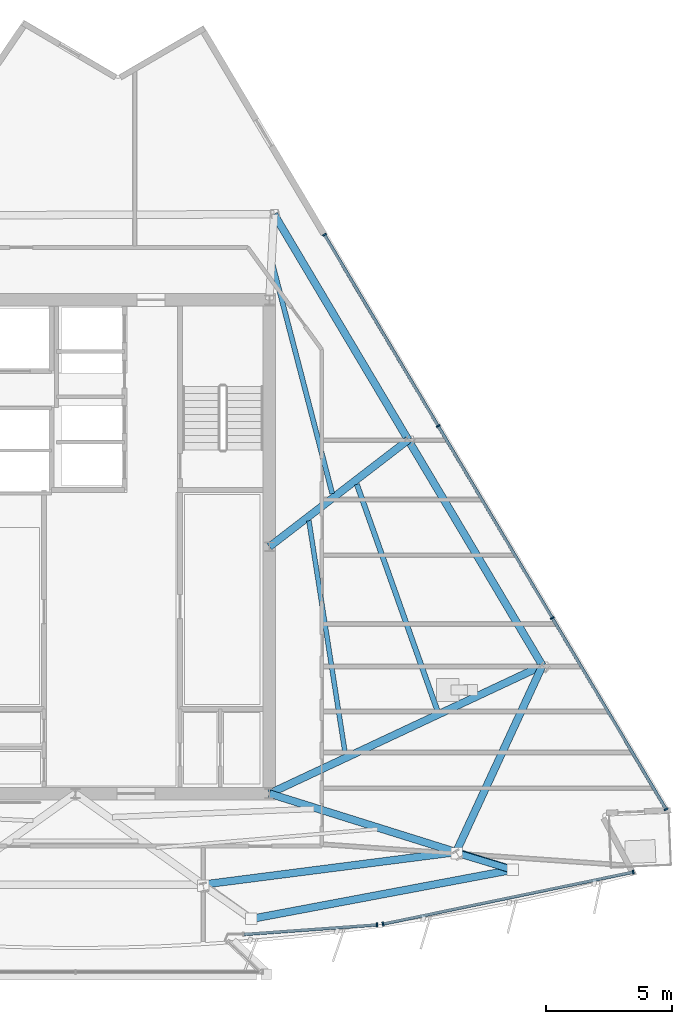
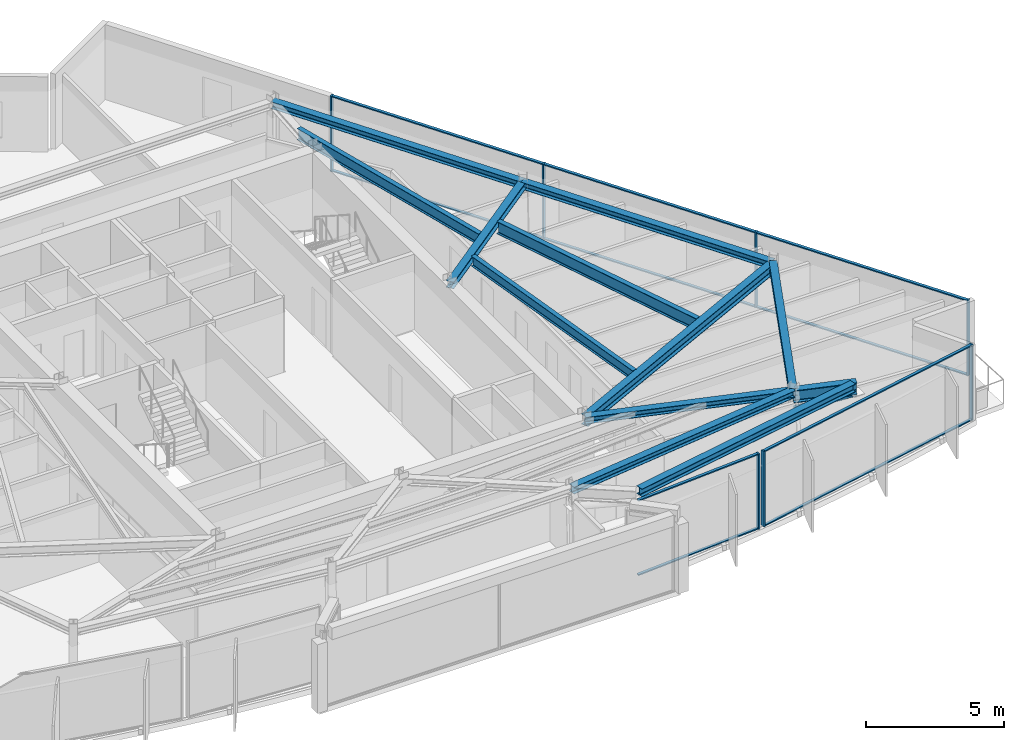
# One storey, part 5 of 13: 18 members, 12 beams, 3 elements without a shape of their own.
"""IFC4 building model written with IfcOpenShell, lengths in metres."""

from ifc_helpers import new_model, si_unit, direction, frame, origin, origin_2d, place, context, subcontext, project, spatial, rectangle, hollow_circle, i_section, extrude, material, material_profile, profile_set, type_object, element, aggregate, save


model = new_model("IFC4")

# Units and contexts
model_context = context("Model", 3, precision=1e-05, world=origin(), true_north=direction((0.0, 1.0)))
body_context = subcontext(model_context, "Body", "Model", "MODEL_VIEW")
ifc_project = project(units=[si_unit("LENGTHUNIT", "METRE"), si_unit("AREAUNIT", "SQUARE_METRE"), si_unit("VOLUMEUNIT", "CUBIC_METRE"), si_unit("PLANEANGLEUNIT", "RADIAN"), si_unit("MASSUNIT", "GRAM", prefix="KILO")], contexts=[model_context])

# Site, building, storey
site_placement = place(None, origin())
site = spatial("IfcSite", under=ifc_project, at=site_placement, CompositionType="ELEMENT")
building_placement = place(site_placement, origin())
building = spatial("IfcBuilding", under=site, at=building_placement, Name="Savorim Split Tower", CompositionType="ELEMENT")
storey_placement = place(building_placement, frame((0.0, 0.0, 286.800048828125)))
storey = spatial("IfcBuildingStorey", under=building, at=storey_placement, Name="L76", CompositionType="ELEMENT", Elevation=286.800048828125)

# Beams
ifc_material_1 = material(Name="Steel S355", Category="steel")
ifc_material_profile_1 = material_profile(ifc_material_1, i_section(OverallWidth=0.18994140625, OverallDepth=0.449951171875, WebThickness=0.009521484375, FlangeThickness=0.0146484375, FilletRadius=0.02099609375, at=origin_2d()), Name="IPE 450")
ifc_profile_set_1 = profile_set([ifc_material_profile_1], Name="Steel S355")
beam_type_1 = type_object("IfcBeamType", Name="BM-JST-IPE450", PredefinedType="JOIST", material=ifc_profile_set_1)
beam_1_placement = place(storey_placement, frame((10.710205078125, -7.81884765625, 3.125), z_axis=(-0.154073720569, 0.988059354811, 0.0), x_axis=(-0.988059354811, -0.154073720569, 0.0)))
element("IfcBeam", 1, at=beam_1_placement, inside=storey, type_object=beam_type_1, Name="L76 Secondary Floor Joist JS-08", PredefinedType="JOIST", context=body_context, shape_type="SweptSolid", body=[
    extrude(i_section(OverallWidth=0.18994140625, OverallDepth=0.449951171875, WebThickness=0.009521484375, FlangeThickness=0.0146484375, FilletRadius=0.02099609375, at=origin_2d()), origin(), (0.0, 0.0, 1.0), 9.360107421875),
])
ifc_material_profile_2 = material_profile(ifc_material_1, i_section(OverallWidth=0.199951171875, OverallDepth=0.5, WebThickness=0.01025390625, FlangeThickness=0.01611328125, FilletRadius=0.02099609375, at=origin_2d()), Name="IPE 500")
ifc_profile_set_2 = profile_set([ifc_material_profile_2], Name="Steel S355")
beam_type_2 = type_object("IfcBeamType", Name="BM-JST-IPE500", PredefinedType="JOIST", material=ifc_profile_set_2)
beam_2_placement = place(storey_placement, frame((10.1953125, 2.505859375, 3.099853515625), z_axis=(-0.251928476427, 0.967745856496, 0.0), x_axis=(-0.967745856496, -0.251928476427, 0.0)))
element("IfcBeam", 2, at=beam_2_placement, inside=storey, type_object=beam_type_2, Name="L76 Secondary Floor Joist JS-07", PredefinedType="JOIST", context=body_context, shape_type="SweptSolid", body=[
    extrude(i_section(OverallWidth=0.199951171875, OverallDepth=0.5, WebThickness=0.01025390625, FlangeThickness=0.01611328125, FilletRadius=0.02099609375, at=origin_2d()), origin(), (0.0, 0.0, 1.0), 9.406982421875),
])
ifc_material_profile_3 = material_profile(ifc_material_1, i_section(OverallWidth=0.2099609375, OverallDepth=0.550048828125, WebThickness=0.010986328125, FlangeThickness=0.01708984375, FilletRadius=0.02392578125, at=origin_2d()), Name="IPE 550")
ifc_profile_set_3 = profile_set([ifc_material_profile_3], Name="Steel S355")
beam_type_3 = type_object("IfcBeamType", Name="BM-JST-IPE550", PredefinedType="JOIST", material=ifc_profile_set_3)
beam_3_placement = place(storey_placement, frame((14.36669921875, -6.09814453125, 3.074951171875), z_axis=(-0.335333145014, 0.942099613552, 0.0), x_axis=(-0.942099613552, -0.335333145014, 0.0)))
element("IfcBeam", 3, at=beam_3_placement, inside=storey, type_object=beam_type_3, Name="L76 Secondary Floor Joist JS-06", PredefinedType="JOIST", context=body_context, shape_type="SweptSolid", body=[
    extrude(i_section(OverallWidth=0.2099609375, OverallDepth=0.550048828125, WebThickness=0.010986328125, FlangeThickness=0.01708984375, FilletRadius=0.02392578125, at=origin_2d()), origin(), (0.0, 0.0, 1.0), 9.52880859375),
])
ifc_material_profile_4 = material_profile(ifc_material_1, i_section(OverallWidth=0.300048828125, OverallDepth=0.300048828125, WebThickness=0.010986328125, FlangeThickness=0.01904296875, FilletRadius=0.027099609375, at=origin_2d()), Name="HEB 300")
ifc_profile_set_4 = profile_set([ifc_material_profile_4], Name="Steel S355")
beam_type_4 = type_object("IfcBeamType", Name="BM-PRI-HEB300", PredefinedType="BEAM", material=ifc_profile_set_4)
beam_4_placement = place(storey_placement, frame((15.111083984375, -11.7216796875, 3.199951171875), z_axis=(-0.954267179997, 0.298955095591, 0.0), x_axis=(-0.298955095591, -0.954267179997, 0.0)))
element("IfcBeam", 4, at=beam_4_placement, inside=storey, type_object=beam_type_4, Name="L76 Primary Floor Girder RG-04", PredefinedType="BEAM", context=body_context, shape_type="SweptSolid", body=[
    extrude(i_section(OverallWidth=0.300048828125, OverallDepth=0.300048828125, WebThickness=0.010986328125, FlangeThickness=0.01904296875, FilletRadius=0.027099609375, at=origin_2d()), origin(), (0.0, 0.0, 1.0), 7.766357421875),
])
beam_5_placement = place(storey_placement, frame((13.212158203125, 4.641357421875, 3.199951171875), z_axis=(-0.792533941763, -0.609827804511, 0.0), x_axis=(0.609827804511, -0.792533941763, 0.0)))
element("IfcBeam", 5, at=beam_5_placement, inside=storey, type_object=beam_type_4, Name="L76 Primary Floor Girder RG-06", PredefinedType="BEAM", context=body_context, shape_type="SweptSolid", body=[
    extrude(i_section(OverallWidth=0.300048828125, OverallDepth=0.300048828125, WebThickness=0.010986328125, FlangeThickness=0.01904296875, FilletRadius=0.027099609375, at=origin_2d()), origin(), (0.0, 0.0, 1.0), 6.955078125),
])
ifc_material_profile_5 = material_profile(ifc_material_1, i_section(OverallWidth=0.300048828125, OverallDepth=0.449951171875, WebThickness=0.013916015625, FlangeThickness=0.02587890625, FilletRadius=0.027099609375, at=origin_2d()), Name="HEB 450")
ifc_profile_set_5 = profile_set([ifc_material_profile_5], Name="Steel S355")
beam_type_5 = type_object("IfcBeamType", Name="BM-PRI-HEB450", PredefinedType="BEAM", material=ifc_profile_set_5)
beam_6_placement = place(storey_placement, frame((18.539306640625, -4.317626953125, 3.125), z_axis=(-0.905416316347, -0.424524786193, 0.0), x_axis=(0.424524786193, -0.905416316347, 0.0)))
element("IfcBeam", 6, at=beam_6_placement, inside=storey, type_object=beam_type_5, Name="L76 Primary Floor Girder RG-05", PredefinedType="BEAM", context=body_context, shape_type="SweptSolid", body=[
    extrude(i_section(OverallWidth=0.300048828125, OverallDepth=0.449951171875, WebThickness=0.013916015625, FlangeThickness=0.02587890625, FilletRadius=0.027099609375, at=origin_2d()), origin(), (0.0, 0.0, 1.0), 11.9716796875),
])
ifc_material_profile_6 = material_profile(ifc_material_1, i_section(OverallWidth=0.300048828125, OverallDepth=0.550048828125, WebThickness=0.014892578125, FlangeThickness=0.029052734375, FilletRadius=0.027099609375, at=origin_2d()), Name="HEB 550")
ifc_profile_set_6 = profile_set([ifc_material_profile_6], Name="Steel S355")
beam_type_6 = type_object("IfcBeamType", Name="BM-PRI-HEB550", PredefinedType="BEAM", material=ifc_profile_set_6)
beam_7_placement = place(storey_placement, frame((15.111083984375, -11.7216796875, 3.074951171875), z_axis=(0.954261607251, -0.298972883264, 0.0), x_axis=(0.298972883264, 0.954261607251, 0.0)))
element("IfcBeam", 7, at=beam_7_placement, inside=storey, type_object=beam_type_6, Name="L76 Cantilevered Lounge Rib 2", PredefinedType="BEAM", context=body_context, shape_type="SweptSolid", body=[
    extrude(i_section(OverallWidth=0.300048828125, OverallDepth=0.550048828125, WebThickness=0.014892578125, FlangeThickness=0.029052734375, FilletRadius=0.027099609375, at=origin_2d()), origin(), (0.0, 0.0, 1.0), 2.35009765625),
])
ifc_material_profile_7 = material_profile(ifc_material_1, i_section(OverallWidth=0.300048828125, OverallDepth=0.31005859375, WebThickness=0.009033203125, FlangeThickness=0.015380859375, FilletRadius=0.027099609375, at=origin_2d()), Name="HEA 320")
ifc_profile_set_7 = profile_set([ifc_material_profile_7], Name="Steel S355")
beam_type_7 = type_object("IfcBeamType", Name="BM-SPN-HEA320", PredefinedType="SPANDREL", material=ifc_profile_set_7)
beam_8_placement = place(storey_placement, frame((5.064697265625, -13.01171875, 3.195068359375), z_axis=(0.991856231817, 0.127362535332, 0.0), x_axis=(-0.127362535332, 0.991856231817, 0.0)))
element("IfcBeam", 8, at=beam_8_placement, inside=storey, type_object=beam_type_7, Name="L76 Perimeter Spandrel Beam 3", PredefinedType="SPANDREL", context=body_context, shape_type="SweptSolid", body=[
    extrude(i_section(OverallWidth=0.300048828125, OverallDepth=0.31005859375, WebThickness=0.009033203125, FlangeThickness=0.015380859375, FilletRadius=0.027099609375, at=origin_2d()), origin(), (0.0, 0.0, 1.0), 10.12890625),
])
beam_9_placement = place(storey_placement, frame((15.111083984375, -11.7216796875, 3.195068359375), z_axis=(0.420166004461, 0.907447259457, 0.0), x_axis=(-0.907447259457, 0.420166004461, 0.0)))
element("IfcBeam", 9, at=beam_9_placement, inside=storey, type_object=beam_type_7, Name="L76 Perimeter Spandrel Beam 4", PredefinedType="SPANDREL", context=body_context, shape_type="SweptSolid", body=[
    extrude(i_section(OverallWidth=0.300048828125, OverallDepth=0.31005859375, WebThickness=0.009033203125, FlangeThickness=0.015380859375, FilletRadius=0.027099609375, at=origin_2d()), origin(), (0.0, 0.0, 1.0), 8.1591796875),
])
beam_10_placement = place(storey_placement, frame((18.539306640625, -4.317626953125, 3.195068359375), z_axis=(-0.511088488427, 0.859528101343, 0.0), x_axis=(-0.859528101343, -0.511088488427, 0.0)))
element("IfcBeam", 10, at=beam_10_placement, inside=storey, type_object=beam_type_7, Name="L76 Perimeter Spandrel Beam 5", PredefinedType="SPANDREL", context=body_context, shape_type="SweptSolid", body=[
    extrude(i_section(OverallWidth=0.300048828125, OverallDepth=0.31005859375, WebThickness=0.009033203125, FlangeThickness=0.015380859375, FilletRadius=0.027099609375, at=origin_2d()), origin(), (0.0, 0.0, 1.0), 10.423095703125),
])
beam_11_placement = place(storey_placement, frame((13.212158203125, 4.641357421875, 3.195068359375), z_axis=(-0.511098778174, 0.859521982819, 0.0), x_axis=(-0.859521982819, -0.511098778174, 0.0)))
element("IfcBeam", 11, at=beam_11_placement, inside=storey, type_object=beam_type_7, Name="L76 Perimeter Spandrel Beam 6", PredefinedType="SPANDREL", context=body_context, shape_type="SweptSolid", body=[
    extrude(i_section(OverallWidth=0.300048828125, OverallDepth=0.31005859375, WebThickness=0.009033203125, FlangeThickness=0.015380859375, FilletRadius=0.027099609375, at=origin_2d()), origin(), (0.0, 0.0, 1.0), 10.4228515625),
])
ifc_material_profile_8 = material_profile(ifc_material_1, i_section(OverallWidth=0.300048828125, OverallDepth=0.35009765625, WebThickness=0.010009765625, FlangeThickness=0.017578125, FilletRadius=0.027099609375, at=origin_2d()), Name="HEA 360")
ifc_profile_set_8 = profile_set([ifc_material_profile_8], Name="Steel S355")
beam_type_8 = type_object("IfcBeamType", Name="BM-SPN-HEA360", PredefinedType="SPANDREL", material=ifc_profile_set_8)
beam_12_placement = place(storey_placement, frame((7.135009765625, -14.346435546875, 3.175048828125), z_axis=(0.982765116909, 0.184858662192, 0.0), x_axis=(-0.184858662192, 0.982765116909, 0.0)))
element("IfcBeam", 12, at=beam_12_placement, inside=storey, type_object=beam_type_8, Name="L76 Cantilevered Lounge Front Edge Beam", PredefinedType="SPANDREL", context=body_context, shape_type="SweptSolid", body=[
    extrude(i_section(OverallWidth=0.300048828125, OverallDepth=0.35009765625, WebThickness=0.010009765625, FlangeThickness=0.017578125, FilletRadius=0.027099609375, at=origin_2d()), origin(), (0.0, 0.0, 1.0), 10.238037109375),
])

# Curtain wall, member
ifc_material_2 = material(Name="Dark Ceramic-Fritted Insulated Glass", Category="glass")
curtain_wall_type = type_object("IfcCurtainWallType", Name="CW-TWR-FRIT-B", PredefinedType="NOTDEFINED", material=ifc_material_2)
curtain_wall_1_placement = place(storey_placement, origin())
curtain_wall_1 = element("IfcCurtainWall", 13, at=curtain_wall_1_placement, inside=storey, type_object=curtain_wall_type, Name="L76 Curtain Wall CW-L76-SF3A", PredefinedType="NOTDEFINED")
ifc_material_3 = material(Name="Charcoal Anodised Aluminium", Category="aluminium")
ifc_material_profile_9 = material_profile(ifc_material_3, rectangle(XDim=0.159912109375, YDim=0.06005859375, at=origin_2d()), Name="ALU-M 160x60")
ifc_profile_set_9 = profile_set([ifc_material_profile_9], Name="Charcoal Anodised Aluminium")
member_type_1 = type_object("IfcMemberType", Name="CWM-160x60", PredefinedType="MULLION", material=ifc_profile_set_9)
member_1_placement = place(storey_placement, frame((11.967529296875, -14.610107421875, 0.0), z_axis=(0.0, 0.0, 1.0), x_axis=(-0.071549884359, 0.997437022598, 0.0)))
member_1 = element("IfcMember", 14, at=member_1_placement, type_object=member_type_1, Name="CW-03 mullion 2", PredefinedType="MULLION", context=body_context, shape_type="SweptSolid", body=[
    extrude(rectangle(XDim=0.159912109375, YDim=0.06005859375, at=origin_2d()), origin(), (0.0, 0.0, 1.0), 3.349853515625),
])

# Curtain wall, members
curtain_wall_2_placement = place(storey_placement, origin())
curtain_wall_2 = element("IfcCurtainWall", 15, at=curtain_wall_2_placement, inside=storey, type_object=curtain_wall_type, Name="L76 Curtain Wall CW-L76-SF4A", PredefinedType="NOTDEFINED")
member_2_placement = place(storey_placement, frame((12.20849609375, -14.57666015625, 0.0), z_axis=(0.0, 0.0, 1.0), x_axis=(-0.203215038861, 0.979134131762, 0.0)))
member_2 = element("IfcMember", 16, at=member_2_placement, type_object=member_type_1, Name="CW-03 mullion 1", PredefinedType="MULLION", context=body_context, shape_type="SweptSolid", body=[
    extrude(rectangle(XDim=0.159912109375, YDim=0.06005859375, at=origin_2d()), origin(), (0.0, 0.0, 1.0), 3.349853515625),
])
member_3_placement = place(storey_placement, frame((22.142333984375, -12.514892578125, 0.0), z_axis=(0.0, 0.0, 1.0), x_axis=(-0.203215038861, 0.979134131762, 0.0)))
member_3 = element("IfcMember", 17, at=member_3_placement, type_object=member_type_1, Name="CW-03 mullion 2", PredefinedType="MULLION", context=body_context, shape_type="SweptSolid", body=[
    extrude(rectangle(XDim=0.159912109375, YDim=0.06005859375, at=origin_2d()), origin(), (0.0, 0.0, 1.0), 3.349853515625),
])

curtain_wall_3_placement = place(storey_placement, origin())
curtain_wall_3 = element("IfcCurtainWall", 18, at=curtain_wall_3_placement, inside=storey, type_object=curtain_wall_type, Name="L76 Curtain Wall CW-L76-EAST", PredefinedType="NOTDEFINED")
member_4_placement = place(storey_placement, frame((23.44482421875, -10.0234375, 0.0), z_axis=(0.0, 0.0, 1.0), x_axis=(-0.859526200766, -0.511091684727, 0.0)))
member_4 = element("IfcMember", 19, at=member_4_placement, type_object=member_type_1, Name="CW-03 mullion 1", PredefinedType="MULLION", context=body_context, shape_type="SweptSolid", body=[
    extrude(rectangle(XDim=0.159912109375, YDim=0.06005859375, at=origin_2d()), origin(), (0.0, 0.0, 1.0), 3.349853515625),
])
member_5_placement = place(storey_placement, frame((18.92919921875, -2.42919921875, 0.0), z_axis=(0.0, 0.0, 1.0), x_axis=(-0.859526200766, -0.511091684727, 0.0)))
member_5 = element("IfcMember", 20, at=member_5_placement, type_object=member_type_1, Name="CW-03 mullion 2", PredefinedType="MULLION", context=body_context, shape_type="SweptSolid", body=[
    extrude(rectangle(XDim=0.159912109375, YDim=0.06005859375, at=origin_2d()), origin(), (0.0, 0.0, 1.0), 3.349853515625),
])
member_6_placement = place(storey_placement, frame((14.398193359375, 5.190673828125, 0.0), z_axis=(0.0, 0.0, 1.0), x_axis=(-0.859526200766, -0.511091684727, 0.0)))
member_6 = element("IfcMember", 21, at=member_6_placement, type_object=member_type_1, Name="CW-03 mullion 3", PredefinedType="MULLION", context=body_context, shape_type="SweptSolid", body=[
    extrude(rectangle(XDim=0.159912109375, YDim=0.06005859375, at=origin_2d()), origin(), (0.0, 0.0, 1.0), 3.349853515625),
])
member_7_placement = place(storey_placement, frame((9.882568359375, 12.784912109375, 0.0), z_axis=(0.0, 0.0, 1.0), x_axis=(-0.859526200766, -0.511091684727, 0.0)))
member_7 = element("IfcMember", 22, at=member_7_placement, type_object=member_type_1, Name="CW-03 mullion 4", PredefinedType="MULLION", context=body_context, shape_type="SweptSolid", body=[
    extrude(rectangle(XDim=0.159912109375, YDim=0.06005859375, at=origin_2d()), origin(), (0.0, 0.0, 1.0), 3.349853515625),
])

# Member
ifc_material_profile_10 = material_profile(ifc_material_3, rectangle(XDim=0.1201171875, YDim=0.050048828125, at=origin_2d()), Name="ALU-T 120x50")
ifc_profile_set_10 = profile_set([ifc_material_profile_10], Name="Charcoal Anodised Aluminium")
member_type_2 = type_object("IfcMemberType", Name="CWT-120x50", PredefinedType="USERDEFINED", material=ifc_profile_set_10)
member_8_placement = place(storey_placement, frame((6.697265625, -14.98828125, 0.02490234375), z_axis=(0.997436004079, 0.071564081545, 0.0), x_axis=(-0.071564081545, 0.997436004079, 0.0)))
member_8 = element("IfcMember", 23, at=member_8_placement, type_object=member_type_2, Name="CW-03 transom 1.1", ObjectType="TRANSOM", PredefinedType="USERDEFINED", context=body_context, shape_type="SweptSolid", body=[
    extrude(rectangle(XDim=0.1201171875, YDim=0.050048828125, at=origin_2d()), origin(), (0.0, 0.0, 1.0), 5.253662109375),
])

member_9_placement = place(storey_placement, frame((6.697265625, -14.98828125, 3.324951171875), z_axis=(0.997436004079, 0.071564081545, 0.0), x_axis=(-0.071564081545, 0.997436004079, 0.0)))
member_9 = element("IfcMember", 24, at=member_9_placement, type_object=member_type_2, Name="CW-03 transom 1.2", ObjectType="TRANSOM", PredefinedType="USERDEFINED", context=body_context, shape_type="SweptSolid", body=[
    extrude(rectangle(XDim=0.1201171875, YDim=0.050048828125, at=origin_2d()), origin(), (0.0, 0.0, 1.0), 5.253662109375),
])

aggregate(curtain_wall_1, [member_1, member_8, member_9])

member_10_placement = place(storey_placement, frame((12.238037109375, -14.570556640625, 0.02490234375), z_axis=(0.9791332013, 0.203219521977, 0.0), x_axis=(-0.203219521977, 0.9791332013, 0.0)))
member_10 = element("IfcMember", 25, at=member_10_placement, type_object=member_type_2, Name="CW-03 transom 1.1", ObjectType="TRANSOM", PredefinedType="USERDEFINED", context=body_context, shape_type="SweptSolid", body=[
    extrude(rectangle(XDim=0.1201171875, YDim=0.050048828125, at=origin_2d()), origin(), (0.0, 0.0, 1.0), 10.08544921875),
])

member_11_placement = place(storey_placement, frame((12.238037109375, -14.570556640625, 3.324951171875), z_axis=(0.9791332013, 0.203219521977, 0.0), x_axis=(-0.203219521977, 0.9791332013, 0.0)))
member_11 = element("IfcMember", 26, at=member_11_placement, type_object=member_type_2, Name="CW-03 transom 1.2", ObjectType="TRANSOM", PredefinedType="USERDEFINED", context=body_context, shape_type="SweptSolid", body=[
    extrude(rectangle(XDim=0.1201171875, YDim=0.050048828125, at=origin_2d()), origin(), (0.0, 0.0, 1.0), 10.08544921875),
])

aggregate(curtain_wall_2, [member_2, member_3, member_10, member_11])

member_12_placement = place(storey_placement, frame((23.429443359375, -9.99755859375, 0.02490234375), z_axis=(-0.511087614626, 0.859528620917, 0.0), x_axis=(-0.859528620917, -0.511087614626, 0.0)))
member_12 = element("IfcMember", 27, at=member_12_placement, type_object=member_type_2, Name="CW-03 transom 1.1", ObjectType="TRANSOM", PredefinedType="USERDEFINED", context=body_context, shape_type="SweptSolid", body=[
    extrude(rectangle(XDim=0.1201171875, YDim=0.050048828125, at=origin_2d()), origin(), (0.0, 0.0, 1.0), 8.775146484375),
])

member_13_placement = place(storey_placement, frame((23.429443359375, -9.99755859375, 3.324951171875), z_axis=(-0.511087614626, 0.859528620917, 0.0), x_axis=(-0.859528620917, -0.511087614626, 0.0)))
member_13 = element("IfcMember", 28, at=member_13_placement, type_object=member_type_2, Name="CW-03 transom 1.2", ObjectType="TRANSOM", PredefinedType="USERDEFINED", context=body_context, shape_type="SweptSolid", body=[
    extrude(rectangle(XDim=0.1201171875, YDim=0.050048828125, at=origin_2d()), origin(), (0.0, 0.0, 1.0), 8.775146484375),
])

member_14_placement = place(storey_placement, frame((18.913818359375, -2.403564453125, 0.02490234375), z_axis=(-0.511087019208, 0.859528974961, 0.0), x_axis=(-0.859528974961, -0.511087019208, 0.0)))
member_14 = element("IfcMember", 29, at=member_14_placement, type_object=member_type_2, Name="CW-03 transom 2.1", ObjectType="TRANSOM", PredefinedType="USERDEFINED", context=body_context, shape_type="SweptSolid", body=[
    extrude(rectangle(XDim=0.1201171875, YDim=0.050048828125, at=origin_2d()), origin(), (0.0, 0.0, 1.0), 8.80517578125),
])

member_15_placement = place(storey_placement, frame((18.913818359375, -2.403564453125, 3.324951171875), z_axis=(-0.511087019208, 0.859528974961, 0.0), x_axis=(-0.859528974961, -0.511087019208, 0.0)))
member_15 = element("IfcMember", 30, at=member_15_placement, type_object=member_type_2, Name="CW-03 transom 2.2", ObjectType="TRANSOM", PredefinedType="USERDEFINED", context=body_context, shape_type="SweptSolid", body=[
    extrude(rectangle(XDim=0.1201171875, YDim=0.050048828125, at=origin_2d()), origin(), (0.0, 0.0, 1.0), 8.80517578125),
])

member_16_placement = place(storey_placement, frame((14.3828125, 5.216552734375, 0.02490234375), z_axis=(-0.511087614626, 0.859528620917, 0.0), x_axis=(-0.859528620917, -0.511087614626, 0.0)))
member_16 = element("IfcMember", 31, at=member_16_placement, type_object=member_type_2, Name="CW-03 transom 3.1", ObjectType="TRANSOM", PredefinedType="USERDEFINED", context=body_context, shape_type="SweptSolid", body=[
    extrude(rectangle(XDim=0.1201171875, YDim=0.050048828125, at=origin_2d()), origin(), (0.0, 0.0, 1.0), 8.775146484375),
])

member_17_placement = place(storey_placement, frame((14.3828125, 5.216552734375, 3.324951171875), z_axis=(-0.511087614626, 0.859528620917, 0.0), x_axis=(-0.859528620917, -0.511087614626, 0.0)))
member_17 = element("IfcMember", 32, at=member_17_placement, type_object=member_type_2, Name="CW-03 transom 3.2", ObjectType="TRANSOM", PredefinedType="USERDEFINED", context=body_context, shape_type="SweptSolid", body=[
    extrude(rectangle(XDim=0.1201171875, YDim=0.050048828125, at=origin_2d()), origin(), (0.0, 0.0, 1.0), 8.775146484375),
])

aggregate(curtain_wall_3, [member_4, member_5, member_6, member_7, member_12, member_13, member_14, member_15, member_16, member_17])

ifc_material_profile_11 = material_profile(ifc_material_1, hollow_circle(Radius=0.136474609375, WallThickness=0.01611328125, at=origin_2d()), Name="CHS 273x16")
ifc_profile_set_11 = profile_set([ifc_material_profile_11], Name="Steel S355")
member_type_3 = type_object("IfcMemberType", Name="MBR-CRN-CHS273", PredefinedType="BRACE", material=ifc_profile_set_11)
member_18_placement = place(storey_placement, frame((15.134765625, -11.76025390625, 2.449951171875), z_axis=(0.946018828611, -0.28310828626, 0.157791236019), x_axis=(0.286699921328, 0.958020435643, 0.0)))
element("IfcMember", 33, at=member_18_placement, inside=storey, type_object=member_type_3, Name="L76 Cantilevered Bay Support Strut 2", PredefinedType="BRACE", context=body_context, shape_type="SweptSolid", body=[
    extrude(hollow_circle(Radius=0.136474609375, WallThickness=0.01611328125, at=origin_2d()), origin(), (0.0, 0.0, 1.0), 2.345703125),
])

save(model, "model.ifc")
